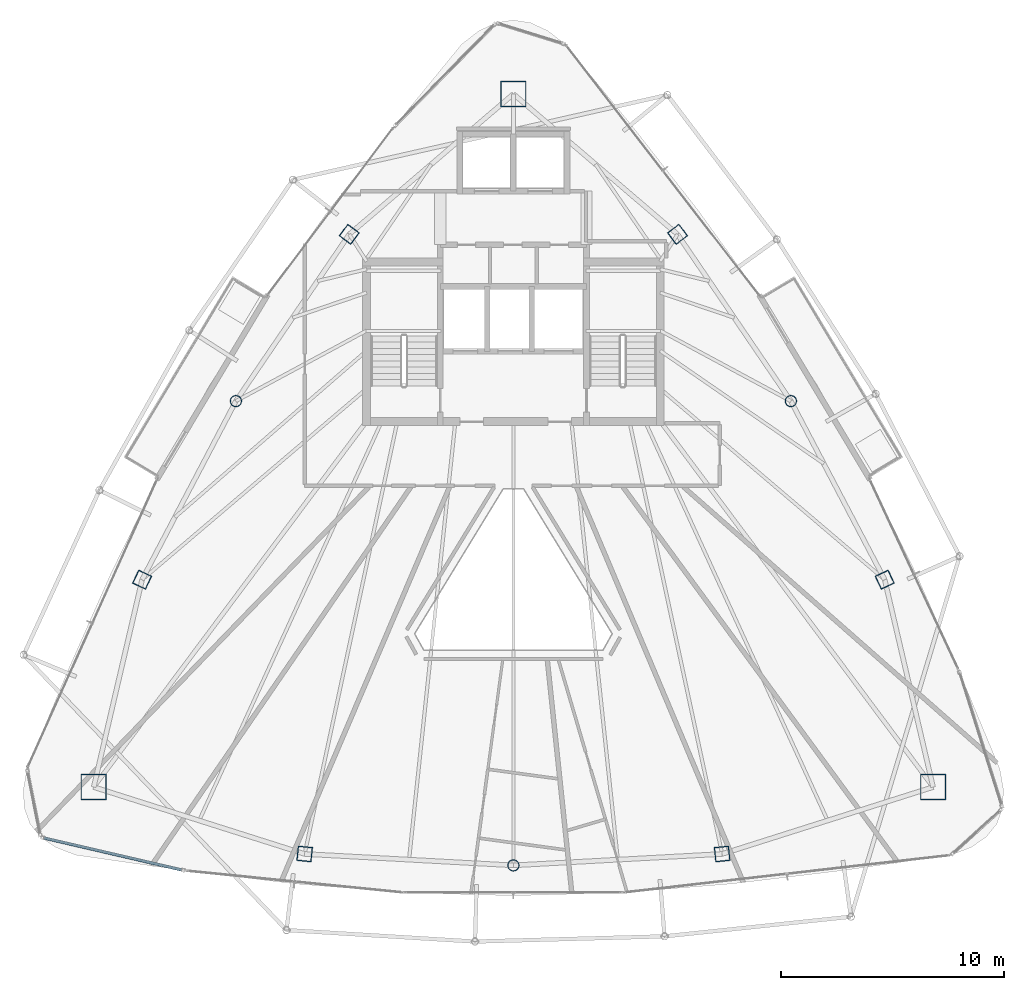
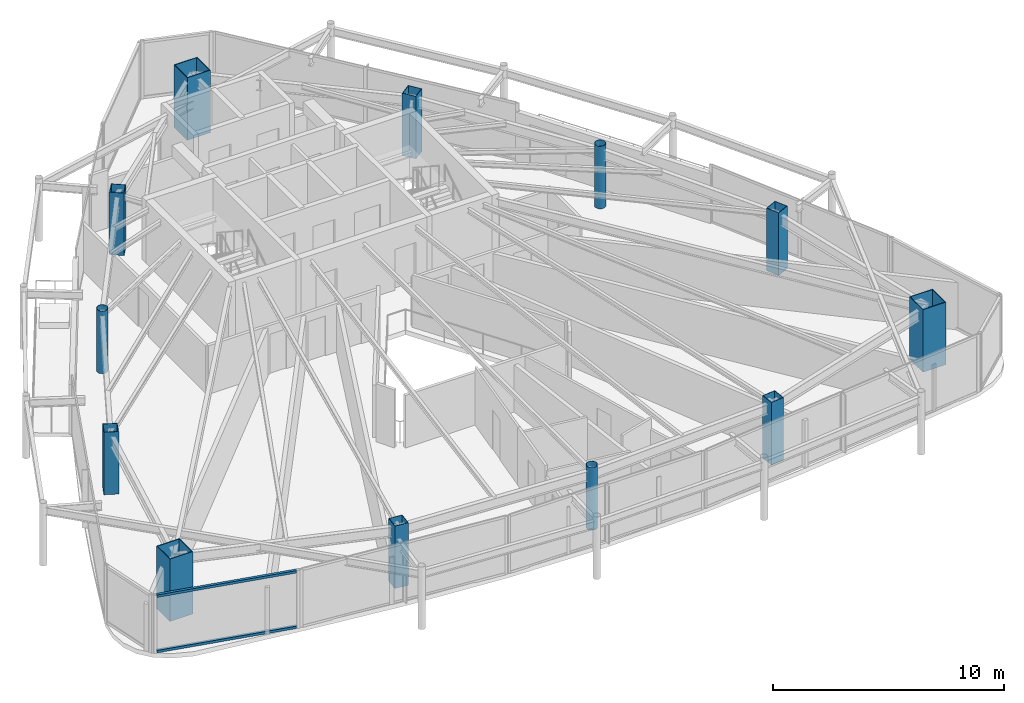
# One storey, part 1 of 28: 12 columns, 2 members, 1 element without a shape of its own.
"""IFC4 building model written with IfcOpenShell, lengths in metres."""

import ifcopenshell
import ifcopenshell.guid

model = None  # the IFC model being written
_history = None  # IfcOwnerHistory: only IFC2X3 demands one
_inside = {}  # id of a spatial element -> (the spatial element, [elements in it])
_under = {}  # id of a project, library or spatial element -> (it, [spatial elements below it])
_declared = {}  # id of a project -> (the project, [libraries it declares])
_typed = {}  # id of a type object -> (the type object, [elements of that type])
_made_of = {}  # id of a material, layer set ... -> (it, [elements and type objects made of it])


def new_model(schema):
    """Start an empty IFC model of exactly this schema.

    Asked for "IFC4X3", IfcOpenShell would pick the latest addendum, in which some entities
    have other attributes; the version numbers below select the first issue.
    IFC2X3 requires an IfcOwnerHistory on every rooted entity: one is made here for all.
    """
    global model, _history
    if schema == "IFC4X3":
        model = ifcopenshell.file(schema_version=(4, 3, 0, 0))
    else:
        model = ifcopenshell.file(schema=schema)
    _inside.clear()
    _under.clear()
    _declared.clear()
    _typed.clear()
    _made_of.clear()
    _history = None
    if model.schema == "IFC2X3":
        org = make("IfcOrganization", Name="unknown")
        user = make(
            "IfcPersonAndOrganization",
            ThePerson=make("IfcPerson", FamilyName="unknown"),
            TheOrganization=org,
        )
        app = make(
            "IfcApplication",
            ApplicationDeveloper=org,
            Version="unknown",
            ApplicationFullName="unknown",
            ApplicationIdentifier="unknown",
        )
        _history = make(
            "IfcOwnerHistory",
            OwningUser=user,
            OwningApplication=app,
            ChangeAction="ADDED",
            CreationDate=0,
        )
    return model


def make(cls, **values):
    """One entity of the class cls with the attributes given. An attribute that is None is left unset."""
    return model.create_entity(
        cls, **{name: value for name, value in values.items() if value is not None}
    )


def rooted(cls, **values):
    """An entity with a GlobalId (a new one), such as an element, a storey or a relation."""
    return make(cls, GlobalId=ifcopenshell.guid.new(), OwnerHistory=_history, **values)


def si_unit(unit_type, name, prefix=None):
    """IfcSIUnit, for example si_unit("LENGTHUNIT", "METRE", prefix="MILLI")."""
    return make("IfcSIUnit", UnitType=unit_type, Prefix=prefix, Name=name)


def assignment(units):
    """IfcUnitAssignment: the units of a project."""
    return None if units is None else make("IfcUnitAssignment", Units=units)


def point(xyz):
    """IfcCartesianPoint."""
    return None if xyz is None else make("IfcCartesianPoint", Coordinates=xyz)


def direction(xyz):
    """IfcDirection."""
    return None if xyz is None else make("IfcDirection", DirectionRatios=xyz)


def frame(location, z_axis=None, x_axis=None):
    """IfcAxis2Placement3D, a coordinate frame: its origin and axes. An axis left out is left unset."""
    return make(
        "IfcAxis2Placement3D",
        Location=point(location),
        Axis=direction(z_axis),
        RefDirection=direction(x_axis),
    )


def frame_2d(location, x_axis=None):
    """IfcAxis2Placement2D, a coordinate frame in the plane: its origin and x axis."""
    return make(
        "IfcAxis2Placement2D", Location=point(location), RefDirection=direction(x_axis)
    )


def origin():
    """The frame at (0, 0, 0) with its axes left unset."""
    return frame((0.0, 0.0, 0.0))


def origin_2d():
    """The frame at (0, 0) in the plane with its x axis left unset."""
    return frame_2d((0.0, 0.0))


def place(relative_to, where):
    """IfcLocalPlacement: puts the frame where relative to a parent placement (None: the world)."""
    return make(
        "IfcLocalPlacement", PlacementRelTo=relative_to, RelativePlacement=where
    )


def context(
    kind, dimensions, precision=None, world=None, true_north=None, identifier=None
):
    """IfcGeometricRepresentationContext, for example the 3D "Model" context."""
    return make(
        "IfcGeometricRepresentationContext",
        ContextIdentifier=identifier,
        ContextType=kind,
        CoordinateSpaceDimension=dimensions,
        Precision=precision,
        WorldCoordinateSystem=world,
        TrueNorth=true_north,
    )


def subcontext(parent, identifier, kind, view, scale=None):
    """IfcGeometricRepresentationSubContext, for example "Body" below "Model"."""
    return make(
        "IfcGeometricRepresentationSubContext",
        ContextIdentifier=identifier,
        ContextType=kind,
        ParentContext=parent,
        TargetScale=scale,
        TargetView=view,
    )


def project(units=None, contexts=None):
    """IfcProject with its units and contexts."""
    return rooted(
        "IfcProject",
        Name="project",
        RepresentationContexts=contexts,
        UnitsInContext=assignment(units),
    )


def spatial(cls, under=None, at=None, **own):
    """A site, building, storey or space (cls), placed at a placement, below another one or the project."""
    s = rooted(cls, ObjectPlacement=at, **own)
    if under is not None:
        _under.setdefault(under.id(), (under, []))[1].append(s)
    return s


def profile(cls, at=None, kind="AREA", **sizes):
    """A parametric profile (cls). Its sizes go by their IFC names, for example OverallWidth=200.0."""
    return make(cls, ProfileType=kind, Position=at, **sizes)


def hollow_rectangle(**sizes):
    """IfcRectangleHollowProfileDef."""
    return profile("IfcRectangleHollowProfileDef", **sizes)


def hollow_circle(**sizes):
    """IfcCircleHollowProfileDef."""
    return profile("IfcCircleHollowProfileDef", **sizes)


def extrude(swept, where, along, depth):
    """IfcExtrudedAreaSolid: the profile swept, set in the frame where, extruded along a direction by depth."""
    return make(
        "IfcExtrudedAreaSolid",
        SweptArea=swept,
        Position=where,
        ExtrudedDirection=direction(along),
        Depth=depth,
    )


def shape(context_of_items, identifier, shape_type, items):
    """IfcShapeRepresentation: the items that make up one representation, for example the "Body"."""
    return make(
        "IfcShapeRepresentation",
        ContextOfItems=context_of_items,
        RepresentationIdentifier=identifier,
        RepresentationType=shape_type,
        Items=items,
    )


def material(Name=None, Category=None):
    """IfcMaterial."""
    return make("IfcMaterial", Name=Name, Category=Category)


def layer(
    of_material, thickness, ventilated=None, Name=None, Category=None, Priority=None
):
    """IfcMaterialLayer: one layer of a wall or slab, of a material (None: an air gap)."""
    return make(
        "IfcMaterialLayer",
        Material=of_material,
        LayerThickness=thickness,
        IsVentilated=ventilated,
        Name=Name,
        Category=Category,
        Priority=Priority,
    )


def layer_set(layers, Name=None):
    """IfcMaterialLayerSet."""
    return make("IfcMaterialLayerSet", MaterialLayers=layers, LayerSetName=Name)


def material_profile(
    of_material, cross_section, Name=None, Category=None, Priority=None
):
    """IfcMaterialProfile: a cross section and its material."""
    return make(
        "IfcMaterialProfile",
        Name=Name,
        Material=of_material,
        Profile=cross_section,
        Priority=Priority,
        Category=Category,
    )


def profile_set(profiles, Name=None, composite=None):
    """IfcMaterialProfileSet."""
    return make(
        "IfcMaterialProfileSet",
        Name=Name,
        MaterialProfiles=profiles,
        CompositeProfile=composite,
    )


def made_of(thing, what):
    """Note that an element or type object is made of a material, layer set ...; save() writes the relation."""
    if what is not None:
        _made_of.setdefault(what.id(), (what, []))[1].append(thing)
    return thing


def type_object(cls, material=None, **own):
    """A type object (cls), such as IfcWallType, which elements share."""
    return made_of(rooted(cls, **own), material)


def element(
    cls,
    number,
    at=None,
    inside=None,
    cuts=None,
    type_object=None,
    material=None,
    context=None,
    identifier="Body",
    shape_type=None,
    held_by="IfcProductDefinitionShape",
    body=None,
    shapes=None,
    **own,
):
    """One element of the class cls, such as IfcWall. Its Tag is "e" and its number.

    at: its placement. inside: the storey or other place that contains it. cuts: it is an
    opening in that element (IfcRelVoidsElement). A single representation is given by context,
    identifier, shape_type and body (its items); several are given by shapes. held_by: the class
    of the entity that holds the representations. save() writes the other relations.
    """
    e = rooted(cls, Tag="e%d" % number, ObjectPlacement=at, **own)
    if body is not None:
        shapes = [shape(context, identifier, shape_type, body)]
    if shapes is not None:
        e.Representation = make(held_by, Representations=shapes)
    if inside is not None:
        _inside.setdefault(inside.id(), (inside, []))[1].append(e)
    if cuts is not None:
        rooted(
            "IfcRelVoidsElement", RelatingBuildingElement=cuts, RelatedOpeningElement=e
        )
    if type_object is not None:
        _typed.setdefault(type_object.id(), (type_object, []))[1].append(e)
    return made_of(e, material)


def aggregate(whole, parts):
    """IfcRelAggregates: a whole, such as a stair, and the parts it consists of."""
    return rooted("IfcRelAggregates", RelatingObject=whole, RelatedObjects=parts)


def save(model, path):
    """Write the relations noted so far, then the file.

    IfcRelAggregates (storeys below a building ...), IfcRelContainedInSpatialStructure (elements
    in a storey), IfcRelDefinesByType, IfcRelAssociatesMaterial and IfcRelDeclares: one each for
    every whole, place, type object, material and project.
    """
    for whole, parts in _under.values():
        aggregate(whole, parts)
    for where, things in _inside.values():
        rooted(
            "IfcRelContainedInSpatialStructure",
            RelatedElements=things,
            RelatingStructure=where,
        )
    for kind, things in _typed.values():
        rooted("IfcRelDefinesByType", RelatedObjects=things, RelatingType=kind)
    for what, things in _made_of.values():
        rooted("IfcRelAssociatesMaterial", RelatedObjects=things, RelatingMaterial=what)
    for by, libraries in _declared.values():
        rooted("IfcRelDeclares", RelatingContext=by, RelatedDefinitions=libraries)
    model.write(path)


model = new_model("IFC4")

# Units and contexts
model_context = context("Model", 3, precision=1e-05, world=origin(), true_north=direction((0.0, 1.0)))
body_context = subcontext(model_context, "Body", "Model", "MODEL_VIEW")
ifc_project = project(units=[si_unit("LENGTHUNIT", "METRE"), si_unit("AREAUNIT", "SQUARE_METRE"), si_unit("VOLUMEUNIT", "CUBIC_METRE"), si_unit("PLANEANGLEUNIT", "RADIAN"), si_unit("MASSUNIT", "GRAM", prefix="KILO")], contexts=[model_context])

# Site, building, storey
site_placement = place(None, origin())
site = spatial("IfcSite", under=ifc_project, at=site_placement, CompositionType="ELEMENT")
building_placement = place(site_placement, origin())
building = spatial("IfcBuilding", under=site, at=building_placement, Name="Orvanel Arch Residences", CompositionType="ELEMENT")
storey_placement = place(building_placement, frame((0.0, 0.0, 263.449951171875)))
storey = spatial("IfcBuildingStorey", under=building, at=storey_placement, Name="L75", CompositionType="ELEMENT", Elevation=263.449951171875)

# Columns
ifc_material_1 = material(Name="Structural steel AS/NZS 1163 C350L0 (Grade 350)", Category="steel")
ifc_material_profile_1 = material_profile(ifc_material_1, hollow_circle(Radius=0.25390625, WallThickness=0.01611328125, at=origin_2d()), Name="CHS508x16")
ifc_profile_set_1 = profile_set([ifc_material_profile_1], Name="Structural steel AS/NZS 1163 C350L0 (Grade 350)")
column_type_1 = type_object("IfcColumnType", Name="CC-508", PredefinedType="COLUMN", material=ifc_profile_set_1)
for number, where, z_axis, x_axis, name in (
    (1, (20.569091796875, 27.64111328125, 0.0), (0.0, 0.0, 1.0), (1.0, 0.0, 0.0), "L75 High-Rise Tube Column 02"),
    (2, (33.0, 6.843994140625, 0.0), (0.0, 0.0, 1.0), (1.0, 0.0, 0.0), "L75 High-Rise Tube Column 05"),
    (3, (45.430908203125, 27.64111328125, 0.0), (0.0, 0.0, 1.0), (1.0, 0.0, 0.0), "L75 High-Rise Tube Column 08"),
):
    element("IfcColumn", number, at=place(storey_placement, frame(where, z_axis=z_axis, x_axis=x_axis)), inside=storey, type_object=column_type_1, Name=name, PredefinedType="COLUMN", context=body_context, shape_type="SweptSolid", body=[
        extrude(hollow_circle(Radius=0.25390625, WallThickness=0.01611328125, at=origin_2d()), origin(), (0.0, 0.0, 1.0), 3.300048828125),
    ])
ifc_material_2 = material(Name="Structural steel AS/NZS 3678 Grade 450", Category="steel")
ifc_material_profile_2 = material_profile(ifc_material_2, hollow_rectangle(XDim=1.14990234375, YDim=1.14990234375, WallThickness=0.035888671875, at=origin_2d()), Name="BOX1150x1150x36")
ifc_profile_set_2 = profile_set([ifc_material_profile_2], Name="Structural steel AS/NZS 3678 Grade 450")
column_type_2 = type_object("IfcColumnType", Name="MC-1150", PredefinedType="COLUMN", material=ifc_profile_set_2)
for number, where, z_axis, x_axis, name in (
    (4, (33.0, 41.39794921875, 0.0), (0.0, 0.0, 1.0), (1.0, 0.0, 0.0), "L75 Corner Mega-Column 1"),
    (5, (14.198974609375, 10.35107421875, 0.0), (0.0, 0.0, 1.0), (1.0, 0.0, 0.0), "L75 Corner Mega-Column 2"),
    (6, (51.801025390625, 10.35107421875, 0.0), (0.0, 0.0, 1.0), (1.0, 0.0, 0.0), "L75 Corner Mega-Column 3"),
):
    element("IfcColumn", number, at=place(storey_placement, frame(where, z_axis=z_axis, x_axis=x_axis)), inside=storey, type_object=column_type_2, Name=name, PredefinedType="COLUMN", context=body_context, shape_type="SweptSolid", body=[
        extrude(hollow_rectangle(XDim=1.14990234375, YDim=1.14990234375, WallThickness=0.035888671875, at=origin_2d()), origin(), (0.0, 0.0, 1.0), 3.300048828125),
    ])
ifc_material_3 = material(Name="Structural steel AS/NZS 3678 Grade 350", Category="steel")
ifc_material_profile_3 = material_profile(ifc_material_3, hollow_rectangle(XDim=0.64990234375, YDim=0.64990234375, WallThickness=0.02197265625, at=origin_2d()), Name="BOX650x650x22")
ifc_profile_set_3 = profile_set([ifc_material_profile_3], Name="Structural steel AS/NZS 3678 Grade 350")
column_type_3 = type_object("IfcColumnType", Name="TC-650", PredefinedType="COLUMN", material=ifc_profile_set_3)
for number, where, z_axis, x_axis, name in (
    (7, (25.64794921875, 35.113037109375, 0.0), (0.0, 0.0, 1.0), (0.600420225326, 0.799684658487, 0.0), "L75 High-Rise Tube Column 01"),
    (8, (16.366943359375, 19.64208984375, 0.0), (0.0, 0.0, 1.0), (0.422618261741, 0.906307787037, 0.0), "L75 High-Rise Tube Column 03"),
    (9, (23.64892578125, 7.35498046875, 0.0), (0.0, 0.0, 1.0), (-0.994880708829, 0.101056297183, 0.0), "L75 High-Rise Tube Column 04"),
    (10, (42.35107421875, 7.35498046875, 0.0), (0.0, 0.0, 1.0), (0.994880708829, 0.101056297183, 0.0), "L75 High-Rise Tube Column 06"),
    (11, (49.633056640625, 19.64208984375, 0.0), (0.0, 0.0, 1.0), (-0.422618261741, 0.906307787037, 0.0), "L75 High-Rise Tube Column 07"),
    (12, (40.35205078125, 35.113037109375, 0.0), (0.0, 0.0, 1.0), (-0.600420225326, 0.799684658487, 0.0), "L75 High-Rise Tube Column 09"),
):
    element("IfcColumn", number, at=place(storey_placement, frame(where, z_axis=z_axis, x_axis=x_axis)), inside=storey, type_object=column_type_3, Name=name, PredefinedType="COLUMN", context=body_context, shape_type="SweptSolid", body=[
        extrude(hollow_rectangle(XDim=0.64990234375, YDim=0.64990234375, WallThickness=0.02197265625, at=origin_2d()), origin(), (0.0, 0.0, 1.0), 3.300048828125),
    ])

# Curtain wall, members
ifc_material_4 = material(Name="Bronze-anodised aluminium AA6063-T6", Category="aluminium")
ifc_layer = layer(ifc_material_4, 0.18994140625)
ifc_layer_set = layer_set([ifc_layer], Name="Bronze-anodised aluminium AA6063-T6")
curtain_wall_type = type_object("IfcCurtainWallType", Name="CW5-CRN-SYS", PredefinedType="NOTDEFINED", material=ifc_layer_set)
curtain_wall_placement = place(storey_placement, origin())
curtain_wall = element("IfcCurtainWall", 13, at=curtain_wall_placement, inside=storey, type_object=curtain_wall_type, Name="L75 CW5-CRN-SYS Unitised Curtain Wall", PredefinedType="NOTDEFINED")
ifc_material_profile_4 = material_profile(ifc_material_4, hollow_rectangle(XDim=0.1298828125, YDim=0.1298828125, WallThickness=0.00439453125, at=origin_2d()), Name="ALU130x130x4.5")
ifc_profile_set_4 = profile_set([ifc_material_profile_4], Name="Bronze-anodised aluminium AA6063-T6")
member_type = type_object("IfcMemberType", Name="TRN-130x130", PredefinedType="USERDEFINED", material=ifc_profile_set_4)
member_1_placement = place(storey_placement, frame((11.983154296875, 8.070068359375, 0.06494140625), z_axis=(0.974143576085, -0.22592984126, 0.0), x_axis=(0.22592984126, 0.974143576085, 0.0)))
member_1 = element("IfcMember", 14, at=member_1_placement, type_object=member_type, Name="CW-S5 transom 1.1", ObjectType="TRANSOM", PredefinedType="USERDEFINED", context=body_context, shape_type="SweptSolid", body=[
    extrude(hollow_rectangle(XDim=0.1298828125, YDim=0.1298828125, WallThickness=0.00439453125, at=origin_2d()), origin(), (0.0, 0.0, 1.0), 6.31298828125),
])
member_2_placement = place(storey_placement, frame((11.983154296875, 8.070068359375, 2.9951171875), z_axis=(0.974143576085, -0.22592984126, 0.0), x_axis=(0.22592984126, 0.974143576085, 0.0)))
member_2 = element("IfcMember", 15, at=member_2_placement, type_object=member_type, Name="CW-S5 transom 1.2", ObjectType="TRANSOM", PredefinedType="USERDEFINED", context=body_context, shape_type="SweptSolid", body=[
    extrude(hollow_rectangle(XDim=0.1298828125, YDim=0.1298828125, WallThickness=0.00439453125, at=origin_2d()), origin(), (0.0, 0.0, 1.0), 6.31298828125),
])
aggregate(curtain_wall, [member_1, member_2])

save(model, "model.ifc")
